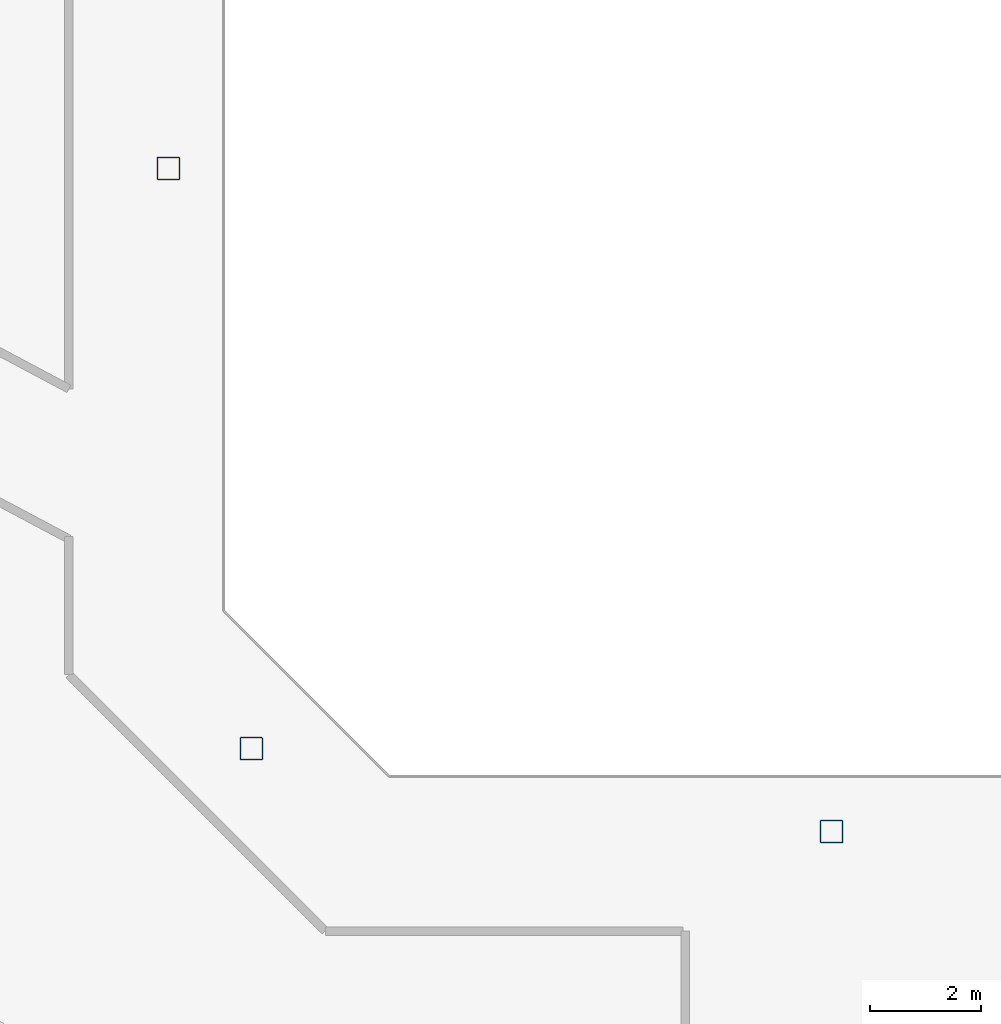
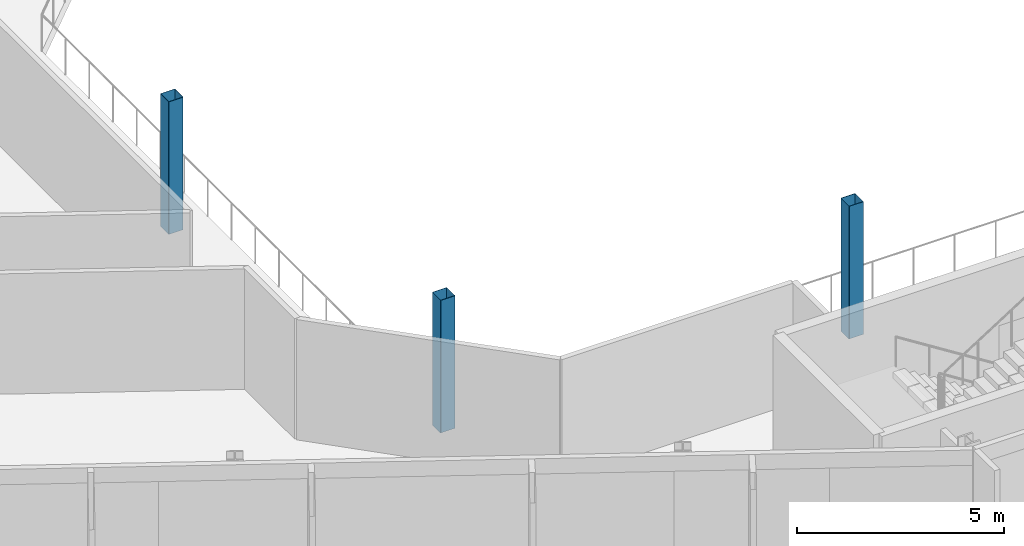
# One storey, part 2 of 25: 3 columns.
"""IFC4 building model written with IfcOpenShell, lengths in metres."""

from ifc_helpers import new_model, si_unit, direction, frame, origin, origin_2d, place, context, subcontext, project, spatial, hollow_rectangle, extrude, material, material_profile, profile_set, type_object, element, save


model = new_model("IFC4")

# Units and contexts
model_context = context("Model", 3, precision=1e-05, world=origin(), true_north=direction((0.0, 1.0)))
body_context = subcontext(model_context, "Body", "Model", "MODEL_VIEW")
ifc_project = project(units=[si_unit("LENGTHUNIT", "METRE"), si_unit("AREAUNIT", "SQUARE_METRE"), si_unit("VOLUMEUNIT", "CUBIC_METRE"), si_unit("PLANEANGLEUNIT", "RADIAN"), si_unit("MASSUNIT", "GRAM", prefix="KILO")], contexts=[model_context])

# Site, building, storey
site_placement = place(None, origin())
site = spatial("IfcSite", under=ifc_project, at=site_placement, CompositionType="ELEMENT")
building_placement = place(site_placement, origin())
building = spatial("IfcBuilding", under=site, at=building_placement, Name="Cormorant Relay Tower", CompositionType="ELEMENT")
storey_placement = place(building_placement, frame((0.0, 0.0, 297.0)))
storey = spatial("IfcBuildingStorey", under=building, at=storey_placement, Name="L67", CompositionType="ELEMENT", Elevation=297.0)

# Columns
ifc_material = material(Name="Steel ASTM A500 Grade C (Fy 345 MPa)", Category="steel")
ifc_material_profile = material_profile(ifc_material, hollow_rectangle(XDim=0.406494140625, YDim=0.406494140625, WallThickness=0.0087890625, InnerFilletRadius=0.00439453125, OuterFilletRadius=0.01318359375, at=origin_2d()), Name="HSS406x406x9")
ifc_profile_set = profile_set([ifc_material_profile], Name="Steel ASTM A500 Grade C (Fy 345 MPa)")
column_type = type_object("IfcColumnType", Name="Column HSS406x406x9", PredefinedType="COLUMN", material=ifc_profile_set)
for number, where, z_axis, x_axis, name in (
    (1, (0.0, -12.0, 0.0), (0.0, 0.0, 1.0), (1.0, 0.0, 0.0), "Column L67-007"),
    (2, (-10.5, -10.5, 0.0), (0.0, 0.0, 1.0), (1.0, 0.0, 0.0), "Column L67-009"),
    (3, (-12.0, 0.0, 0.0), (0.0, 0.0, 1.0), (1.0, 0.0, 0.0), "Column L67-015"),
):
    element("IfcColumn", number, at=place(storey_placement, frame(where, z_axis=z_axis, x_axis=x_axis)), inside=storey, type_object=column_type, Name=name, PredefinedType="COLUMN", context=body_context, shape_type="SweptSolid", body=[
        extrude(hollow_rectangle(XDim=0.406494140625, YDim=0.406494140625, WallThickness=0.0087890625, InnerFilletRadius=0.00439453125, OuterFilletRadius=0.01318359375, at=origin_2d()), origin(), (0.0, 0.0, 1.0), 3.89990234375),
    ])

save(model, "model.ifc")
